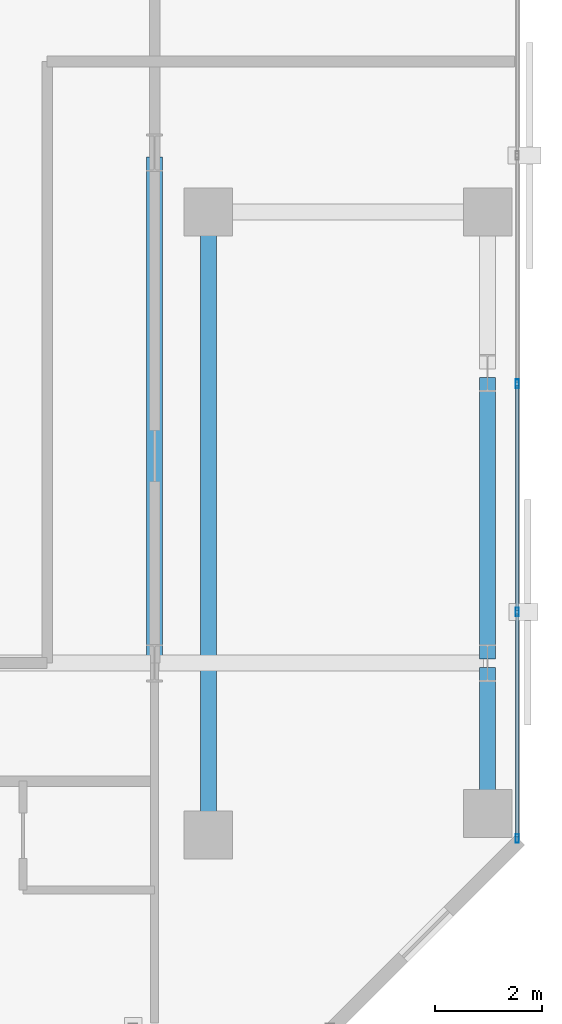
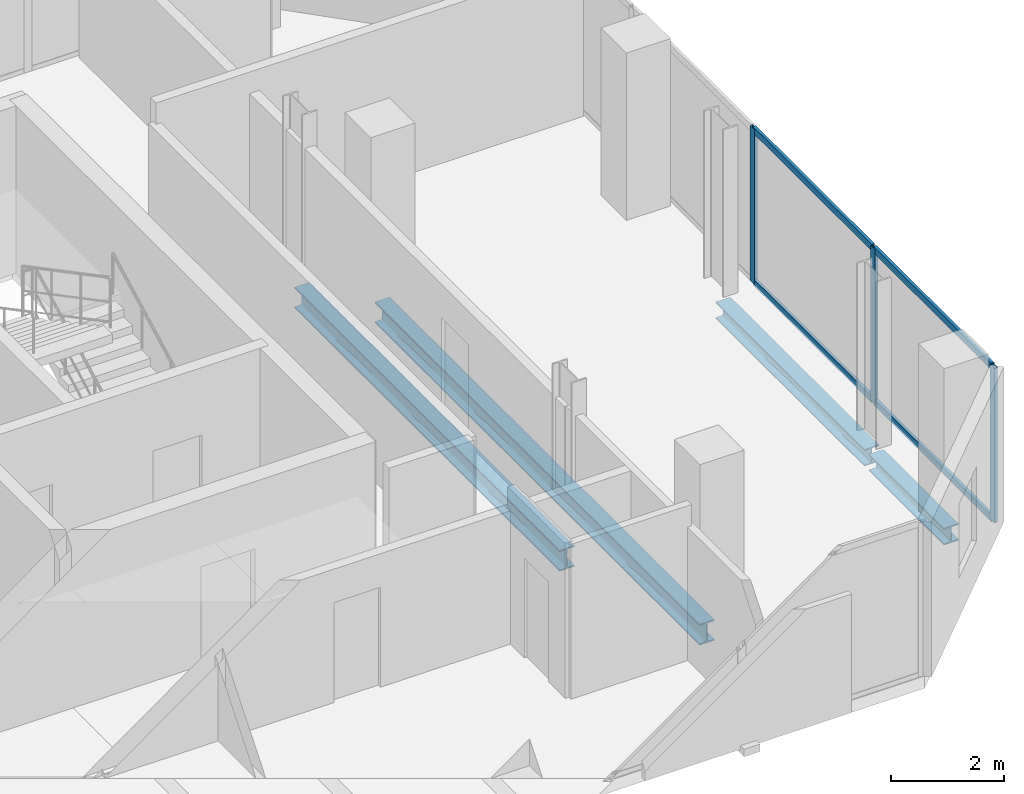
# One storey, part 16 of 33: 7 members, 4 beams, 1 element without a shape of its own.
"""IFC4 building model written with IfcOpenShell, lengths in metres."""

from ifc_helpers import new_model, si_unit, direction, frame, origin, origin_2d, place, context, subcontext, project, spatial, hollow_rectangle, i_section, extrude, material, layer, layer_set, material_profile, profile_set, type_object, element, aggregate, save


model = new_model("IFC4")

# Units and contexts
model_context = context("Model", 3, precision=1e-05, world=origin(), true_north=direction((0.0, 1.0)))
body_context = subcontext(model_context, "Body", "Model", "MODEL_VIEW")
ifc_project = project(units=[si_unit("LENGTHUNIT", "METRE"), si_unit("AREAUNIT", "SQUARE_METRE"), si_unit("VOLUMEUNIT", "CUBIC_METRE"), si_unit("PLANEANGLEUNIT", "RADIAN"), si_unit("MASSUNIT", "GRAM", prefix="KILO")], contexts=[model_context])

# Site, building, storey
site_placement = place(None, origin())
site = spatial("IfcSite", under=ifc_project, at=site_placement, CompositionType="ELEMENT")
building_placement = place(site_placement, origin())
building = spatial("IfcBuilding", under=site, at=building_placement, Name="Catumbela Crestline Tower", CompositionType="ELEMENT")
storey_placement = place(building_placement, frame((0.0, 0.0, 108.0)))
storey = spatial("IfcBuildingStorey", under=building, at=storey_placement, Name="L27", CompositionType="ELEMENT", Elevation=108.0)

# Beams
ifc_material_1 = material(Name="Structural steel S355J2", Category="steel")
ifc_material_profile_1 = material_profile(ifc_material_1, i_section(OverallWidth=0.3, OverallDepth=0.45, WebThickness=0.014, FlangeThickness=0.026, FilletRadius=0.027, at=origin_2d()), Name="HEB 450")
ifc_profile_set_1 = profile_set([ifc_material_profile_1], Name="Structural steel S355J2")
beam_type_1 = type_object("IfcBeamType", Name="BG-HEB450", PredefinedType="BEAM", material=ifc_profile_set_1)
beam_1_placement = place(storey_placement, frame((44.2, 30.88, -0.485), z_axis=(0.0, 1.0, 0.0), x_axis=(-1.0, 0.0, 0.0)))
element("IfcBeam", 1, at=beam_1_placement, inside=storey, type_object=beam_type_1, Name="L27 Beam BM-L27-SN32", PredefinedType="BEAM", context=body_context, shape_type="SweptSolid", body=[
    extrude(i_section(OverallWidth=0.3, OverallDepth=0.45, WebThickness=0.014, FlangeThickness=0.026, FilletRadius=0.027, at=origin_2d()), origin(), (0.0, 0.0, 1.0), 9.34),
])
beam_2_placement = place(storey_placement, frame((45.2, 27.68, -0.485), z_axis=(0.0, 1.0, 0.0), x_axis=(-1.0, 0.0, 0.0)))
element("IfcBeam", 2, at=beam_2_placement, inside=storey, type_object=beam_type_1, Name="L27 Beam BM-L27-SN33", PredefinedType="BEAM", context=body_context, shape_type="SweptSolid", body=[
    extrude(i_section(OverallWidth=0.3, OverallDepth=0.45, WebThickness=0.014, FlangeThickness=0.026, FilletRadius=0.027, at=origin_2d()), origin(), (0.0, 0.0, 1.0), 11.44),
])

# Curtain wall, members
ifc_material_2 = material(Name="Aluminium alloy AW-6060-T66", Category="aluminium")
ifc_layer = layer(ifc_material_2, 0.18, Name="Aluminium alloy AW-6060-T66")
ifc_layer_set = layer_set([ifc_layer], Name="Aluminium alloy AW-6060-T66")
curtain_wall_type = type_object("IfcCurtainWallType", Name="CWU-Z2", PredefinedType="USERDEFINED", material=ifc_layer_set)
curtain_wall_placement = place(storey_placement, origin())
curtain_wall = element("IfcCurtainWall", 3, at=curtain_wall_placement, inside=storey, type_object=curtain_wall_type, Name="L27 Unitised Curtain Wall CW-L27-E5S1", ObjectType="UNITISED", PredefinedType="USERDEFINED")
ifc_material_profile_2 = material_profile(ifc_material_2, hollow_rectangle(XDim=0.06, YDim=0.16, WallThickness=0.004, at=origin_2d()), Name="ALU 160x60x4")
ifc_profile_set_2 = profile_set([ifc_material_profile_2], Name="Aluminium alloy AW-6060-T66")
member_type_1 = type_object("IfcMemberType", Name="MUL-160X60", PredefinedType="MULLION", material=ifc_profile_set_2)
member_1_placement = place(storey_placement, frame((50.95, 27.5325, 0.0), z_axis=(0.0, 0.0, 1.0), x_axis=(-1.0, 0.0, 0.0)))
member_1 = element("IfcMember", 4, at=member_1_placement, type_object=member_type_1, Name="CWU-Z2 mullion 1", PredefinedType="MULLION", context=body_context, shape_type="SweptSolid", body=[
    extrude(hollow_rectangle(XDim=0.06, YDim=0.16, WallThickness=0.004, at=origin_2d()), origin(), (0.0, 0.0, 1.0), 3.33),
])
member_2_placement = place(storey_placement, frame((50.95, 31.75, 0.0), z_axis=(0.0, 0.0, 1.0), x_axis=(-1.0, 0.0, 0.0)))
member_2 = element("IfcMember", 5, at=member_2_placement, type_object=member_type_1, Name="CWU-Z2 mullion 2", PredefinedType="MULLION", context=body_context, shape_type="SweptSolid", body=[
    extrude(hollow_rectangle(XDim=0.06, YDim=0.16, WallThickness=0.004, at=origin_2d()), origin(), (0.0, 0.0, 1.0), 3.33),
])
member_3_placement = place(storey_placement, frame((50.95, 36.0, 0.0), z_axis=(0.0, 0.0, 1.0), x_axis=(-1.0, 0.0, 0.0)))
member_3 = element("IfcMember", 6, at=member_3_placement, type_object=member_type_1, Name="CWU-Z2 mullion 3", PredefinedType="MULLION", context=body_context, shape_type="SweptSolid", body=[
    extrude(hollow_rectangle(XDim=0.06, YDim=0.16, WallThickness=0.004, at=origin_2d()), origin(), (0.0, 0.0, 1.0), 3.33),
])

# Beams
ifc_material_profile_3 = material_profile(ifc_material_1, i_section(OverallWidth=0.3, OverallDepth=0.36, WebThickness=0.0125, FlangeThickness=0.0225, FilletRadius=0.027, at=origin_2d()), Name="HEB 360")
ifc_profile_set_3 = profile_set([ifc_material_profile_3], Name="Structural steel S355J2")
beam_type_2 = type_object("IfcBeamType", Name="BS-HEB360", PredefinedType="SPANDREL", material=ifc_profile_set_3)
beam_3_placement = place(storey_placement, frame((50.4, 28.08, -0.44), z_axis=(0.0, 1.0, 0.0), x_axis=(-1.0, 0.0, 0.0)))
element("IfcBeam", 7, at=beam_3_placement, inside=storey, type_object=beam_type_2, Name="L27 Spandrel SP-L27-SN34", PredefinedType="SPANDREL", context=body_context, shape_type="SweptSolid", body=[
    extrude(i_section(OverallWidth=0.3, OverallDepth=0.36, WebThickness=0.0125, FlangeThickness=0.0225, FilletRadius=0.027, at=origin_2d()), origin(), (0.0, 0.0, 1.0), 2.64),
])
beam_4_placement = place(storey_placement, frame((50.4, 30.88, -0.44), z_axis=(0.0, 1.0, 0.0), x_axis=(-1.0, 0.0, 0.0)))
element("IfcBeam", 8, at=beam_4_placement, inside=storey, type_object=beam_type_2, Name="L27 Spandrel SP-L27-SN35", PredefinedType="SPANDREL", context=body_context, shape_type="SweptSolid", body=[
    extrude(i_section(OverallWidth=0.3, OverallDepth=0.36, WebThickness=0.0125, FlangeThickness=0.0225, FilletRadius=0.027, at=origin_2d()), origin(), (0.0, 0.0, 1.0), 5.24),
])

# Member
ifc_material_profile_4 = material_profile(ifc_material_2, hollow_rectangle(XDim=0.06, YDim=0.14, WallThickness=0.004, at=origin_2d()), Name="ALU 140x60x4")
ifc_profile_set_4 = profile_set([ifc_material_profile_4], Name="Aluminium alloy AW-6060-T66")
member_type_2 = type_object("IfcMemberType", Name="TRN-140X60", PredefinedType="USERDEFINED", material=ifc_profile_set_4)
member_4_placement = place(storey_placement, frame((50.95, 27.565, 0.03), z_axis=(0.0, 1.0, 0.0), x_axis=(-1.0, 0.0, 0.0)))
member_4 = element("IfcMember", 9, at=member_4_placement, type_object=member_type_2, Name="CWU-Z2 transom 1.1", ObjectType="TRANSOM", PredefinedType="USERDEFINED", context=body_context, shape_type="SweptSolid", body=[
    extrude(hollow_rectangle(XDim=0.06, YDim=0.14, WallThickness=0.004, at=origin_2d()), origin(), (0.0, 0.0, 1.0), 4.1525),
])

member_5_placement = place(storey_placement, frame((50.95, 27.565, 3.3), z_axis=(0.0, 1.0, 0.0), x_axis=(-1.0, 0.0, 0.0)))
member_5 = element("IfcMember", 10, at=member_5_placement, type_object=member_type_2, Name="CWU-Z2 transom 1.2", ObjectType="TRANSOM", PredefinedType="USERDEFINED", context=body_context, shape_type="SweptSolid", body=[
    extrude(hollow_rectangle(XDim=0.06, YDim=0.14, WallThickness=0.004, at=origin_2d()), origin(), (0.0, 0.0, 1.0), 4.1525),
])

member_6_placement = place(storey_placement, frame((50.95, 31.7825, 0.03), z_axis=(0.0, 1.0, 0.0), x_axis=(-1.0, 0.0, 0.0)))
member_6 = element("IfcMember", 11, at=member_6_placement, type_object=member_type_2, Name="CWU-Z2 transom 2.1", ObjectType="TRANSOM", PredefinedType="USERDEFINED", context=body_context, shape_type="SweptSolid", body=[
    extrude(hollow_rectangle(XDim=0.06, YDim=0.14, WallThickness=0.004, at=origin_2d()), origin(), (0.0, 0.0, 1.0), 4.185),
])

member_7_placement = place(storey_placement, frame((50.95, 31.7825, 3.3), z_axis=(0.0, 1.0, 0.0), x_axis=(-1.0, 0.0, 0.0)))
member_7 = element("IfcMember", 12, at=member_7_placement, type_object=member_type_2, Name="CWU-Z2 transom 2.2", ObjectType="TRANSOM", PredefinedType="USERDEFINED", context=body_context, shape_type="SweptSolid", body=[
    extrude(hollow_rectangle(XDim=0.06, YDim=0.14, WallThickness=0.004, at=origin_2d()), origin(), (0.0, 0.0, 1.0), 4.185),
])

aggregate(curtain_wall, [member_1, member_2, member_3, member_4, member_5, member_6, member_7])

save(model, "model.ifc")
